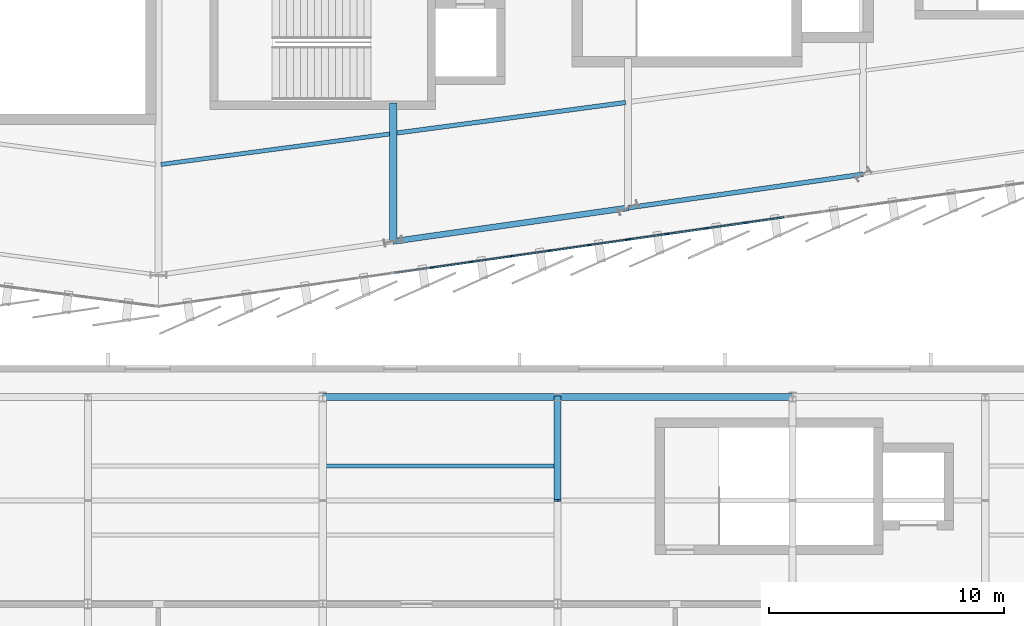
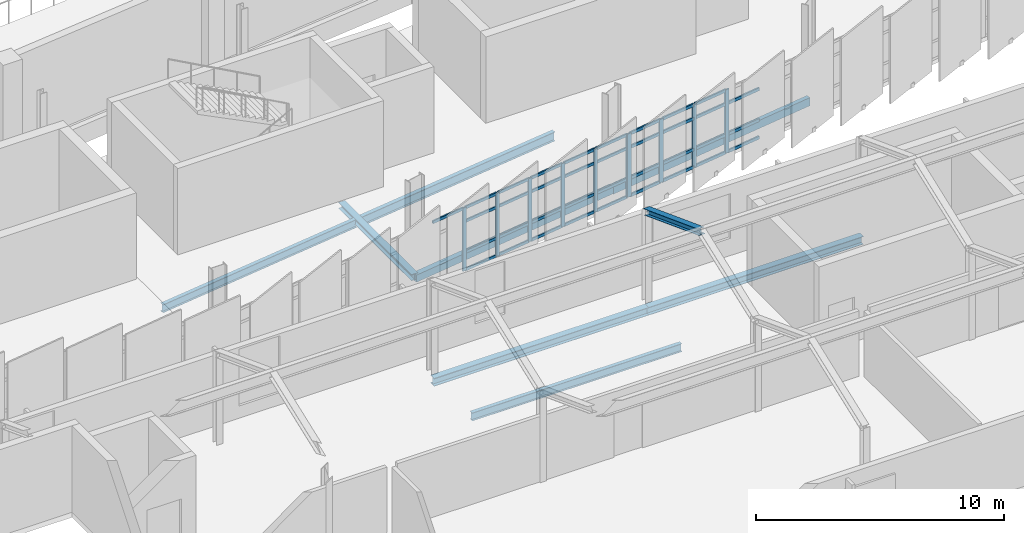
# One storey, part 21 of 87: 46 members, 9 beams, 2 elements without a shape of their own.
"""IFC4 building model written with IfcOpenShell, lengths in metres."""

from ifc_helpers import new_model, si_unit, direction, frame, origin, origin_2d, place, context, subcontext, project, spatial, rectangle, hollow_rectangle, i_section, extrude, material, layer, layer_set, material_profile, profile_set, type_object, element, aggregate, save


model = new_model("IFC4")

# Units and contexts
model_context = context("Model", 3, precision=1e-05, world=origin(), true_north=direction((0.0, 1.0)))
body_context = subcontext(model_context, "Body", "Model", "MODEL_VIEW")
ifc_project = project(units=[si_unit("LENGTHUNIT", "METRE"), si_unit("AREAUNIT", "SQUARE_METRE"), si_unit("VOLUMEUNIT", "CUBIC_METRE"), si_unit("PLANEANGLEUNIT", "RADIAN"), si_unit("MASSUNIT", "GRAM", prefix="KILO")], contexts=[model_context])

# Site, building, storey
site_placement = place(None, origin())
site = spatial("IfcSite", under=ifc_project, at=site_placement, CompositionType="ELEMENT")
building_placement = place(site_placement, origin())
building = spatial("IfcBuilding", under=site, at=building_placement, Name="Sohan Crest Arena", CompositionType="ELEMENT")
storey_placement = place(building_placement, frame((0.0, 0.0, 18.0)))
storey = spatial("IfcBuildingStorey", under=building, at=storey_placement, Name="L04", CompositionType="ELEMENT", Elevation=18.0)

# Curtain wall, members
ifc_material_1 = material(Name="Thermally broken anodised aluminium", Category="aluminium")
ifc_layer_1 = layer(ifc_material_1, 0.199951171875, Name="Thermally broken anodised aluminium")
ifc_layer_set_1 = layer_set([ifc_layer_1], Name="Thermally broken anodised aluminium")
curtain_wall_type_1 = type_object("IfcCurtainWallType", Name="ARC-CW02", PredefinedType="NOTDEFINED", material=ifc_layer_set_1)
curtain_wall_1_placement = place(storey_placement, origin())
curtain_wall_1 = element("IfcCurtainWall", 1, at=curtain_wall_1_placement, inside=storey, type_object=curtain_wall_type_1, Name="Unitised curtain wall CW-125", PredefinedType="NOTDEFINED")
ifc_material_profile_1 = material_profile(ifc_material_1, rectangle(XDim=0.06494140625, YDim=0.179931640625, at=origin_2d()), Name="ALU-MULL 65x180")
ifc_profile_set_1 = profile_set([ifc_material_profile_1], Name="Thermally broken anodised aluminium")
member_type_1 = type_object("IfcMemberType", Name="ARC-CW-ML02", PredefinedType="MULLION", material=ifc_profile_set_1)
member_1_placement = place(storey_placement, frame((109.666748046875, 30.31689453125, 0.0), z_axis=(0.0, 0.0, 1.0), x_axis=(-0.141365918403, 0.989957411768, 0.0)))
member_1 = element("IfcMember", 2, at=member_1_placement, type_object=member_type_1, Name="CW-125 mullion 2", PredefinedType="MULLION", context=body_context, shape_type="SweptSolid", body=[
    extrude(rectangle(XDim=0.06494140625, YDim=0.179931640625, at=origin_2d()), origin(), (0.0, 0.0, 1.0), 3.1201171875),
])
member_2_placement = place(storey_placement, frame((111.333251953125, 30.554931640625, 0.0), z_axis=(0.0, 0.0, 1.0), x_axis=(-0.141365918403, 0.989957411768, 0.0)))
member_2 = element("IfcMember", 3, at=member_2_placement, type_object=member_type_1, Name="CW-125 mullion 3", PredefinedType="MULLION", context=body_context, shape_type="SweptSolid", body=[
    extrude(rectangle(XDim=0.06494140625, YDim=0.179931640625, at=origin_2d()), origin(), (0.0, 0.0, 1.0), 3.1201171875),
])
member_3_placement = place(storey_placement, frame((113.0, 30.79296875, 0.0), z_axis=(0.0, 0.0, 1.0), x_axis=(-0.141365918403, 0.989957411768, 0.0)))
member_3 = element("IfcMember", 4, at=member_3_placement, type_object=member_type_1, Name="CW-125 mullion 4", PredefinedType="MULLION", context=body_context, shape_type="SweptSolid", body=[
    extrude(rectangle(XDim=0.06494140625, YDim=0.179931640625, at=origin_2d()), origin(), (0.0, 0.0, 1.0), 3.1201171875),
])
member_4_placement = place(storey_placement, frame((114.666748046875, 31.031005859375, 0.0), z_axis=(0.0, 0.0, 1.0), x_axis=(-0.141365918403, 0.989957411768, 0.0)))
member_4 = element("IfcMember", 5, at=member_4_placement, type_object=member_type_1, Name="CW-125 mullion 5", PredefinedType="MULLION", context=body_context, shape_type="SweptSolid", body=[
    extrude(rectangle(XDim=0.06494140625, YDim=0.179931640625, at=origin_2d()), origin(), (0.0, 0.0, 1.0), 3.1201171875),
])
member_5_placement = place(storey_placement, frame((116.333251953125, 31.26904296875, 0.0), z_axis=(0.0, 0.0, 1.0), x_axis=(-0.141365918403, 0.989957411768, 0.0)))
member_5 = element("IfcMember", 6, at=member_5_placement, type_object=member_type_1, Name="CW-125 mullion 6", PredefinedType="MULLION", context=body_context, shape_type="SweptSolid", body=[
    extrude(rectangle(XDim=0.06494140625, YDim=0.179931640625, at=origin_2d()), origin(), (0.0, 0.0, 1.0), 3.1201171875),
])
member_6_placement = place(storey_placement, frame((117.9677734375, 31.50244140625, 0.0), z_axis=(0.0, 0.0, 1.0), x_axis=(-0.141365918403, 0.989957411768, 0.0)))
member_6 = element("IfcMember", 7, at=member_6_placement, type_object=member_type_1, Name="CW-125 mullion 7", PredefinedType="MULLION", context=body_context, shape_type="SweptSolid", body=[
    extrude(rectangle(XDim=0.06494140625, YDim=0.179931640625, at=origin_2d()), origin(), (0.0, 0.0, 1.0), 3.1201171875),
])

ifc_layer_2 = layer(ifc_material_1, 0.219970703125, Name="Thermally broken anodised aluminium")
ifc_layer_set_2 = layer_set([ifc_layer_2], Name="Thermally broken anodised aluminium")
curtain_wall_type_2 = type_object("IfcCurtainWallType", Name="ARC-CW03", PredefinedType="NOTDEFINED", material=ifc_layer_set_2)
curtain_wall_2_placement = place(storey_placement, origin())
curtain_wall_2 = element("IfcCurtainWall", 8, at=curtain_wall_2_placement, inside=storey, type_object=curtain_wall_type_2, Name="Unitised curtain wall CW-126", PredefinedType="NOTDEFINED")
ifc_material_profile_2 = material_profile(ifc_material_1, rectangle(XDim=0.070068359375, YDim=0.199951171875, at=origin_2d()), Name="ALU-MULL 70x200")
ifc_profile_set_2 = profile_set([ifc_material_profile_2], Name="Thermally broken anodised aluminium")
member_type_2 = type_object("IfcMemberType", Name="ARC-CW-ML03", PredefinedType="MULLION", material=ifc_profile_set_2)
member_7_placement = place(storey_placement, frame((118.03466796875, 31.511962890625, 0.0), z_axis=(0.0, 0.0, 1.0), x_axis=(-0.141462933734, 0.989943553128, 0.0)))
member_7 = element("IfcMember", 9, at=member_7_placement, type_object=member_type_2, Name="CW-126 mullion 1", PredefinedType="MULLION", context=body_context, shape_type="SweptSolid", body=[
    extrude(rectangle(XDim=0.070068359375, YDim=0.199951171875, at=origin_2d()), origin(), (0.0, 0.0, 1.0), 3.1201171875),
])
member_8_placement = place(storey_placement, frame((119.666748046875, 31.7451171875, 0.0), z_axis=(0.0, 0.0, 1.0), x_axis=(-0.141462933734, 0.989943553128, 0.0)))
member_8 = element("IfcMember", 10, at=member_8_placement, type_object=member_type_2, Name="CW-126 mullion 2", PredefinedType="MULLION", context=body_context, shape_type="SweptSolid", body=[
    extrude(rectangle(XDim=0.070068359375, YDim=0.199951171875, at=origin_2d()), origin(), (0.0, 0.0, 1.0), 3.1201171875),
])
member_9_placement = place(storey_placement, frame((121.333251953125, 31.9833984375, 0.0), z_axis=(0.0, 0.0, 1.0), x_axis=(-0.141462933734, 0.989943553128, 0.0)))
member_9 = element("IfcMember", 11, at=member_9_placement, type_object=member_type_2, Name="CW-126 mullion 3", PredefinedType="MULLION", context=body_context, shape_type="SweptSolid", body=[
    extrude(rectangle(XDim=0.070068359375, YDim=0.199951171875, at=origin_2d()), origin(), (0.0, 0.0, 1.0), 3.1201171875),
])
member_10_placement = place(storey_placement, frame((123.0, 32.221435546875, 0.0), z_axis=(0.0, 0.0, 1.0), x_axis=(-0.141462933734, 0.989943553128, 0.0)))
member_10 = element("IfcMember", 12, at=member_10_placement, type_object=member_type_2, Name="CW-126 mullion 4", PredefinedType="MULLION", context=body_context, shape_type="SweptSolid", body=[
    extrude(rectangle(XDim=0.070068359375, YDim=0.199951171875, at=origin_2d()), origin(), (0.0, 0.0, 1.0), 3.1201171875),
])

# Member
ifc_material_profile_3 = material_profile(ifc_material_1, rectangle(XDim=0.06494140625, YDim=0.139892578125, at=origin_2d()), Name="ALU-TRAN 65x140")
ifc_profile_set_3 = profile_set([ifc_material_profile_3], Name="Thermally broken anodised aluminium")
member_type_3 = type_object("IfcMemberType", Name="ARC-CW-TR02", PredefinedType="USERDEFINED", material=ifc_profile_set_3)
member_11_placement = place(storey_placement, frame((108.064453125, 30.088134765625, 3.08740234375), z_axis=(0.989943335402, 0.141464457353, 0.0), x_axis=(-0.141464457353, 0.989943335402, 0.0)))
member_11 = element("IfcMember", 13, at=member_11_placement, type_object=member_type_3, Name="CW-125 transom 1.4", ObjectType="TRANSOM", PredefinedType="USERDEFINED", context=body_context, shape_type="SweptSolid", body=[
    extrude(rectangle(XDim=0.06494140625, YDim=0.139892578125, at=origin_2d()), origin(), (0.0, 0.0, 1.0), 1.5859375),
])

member_12_placement = place(storey_placement, frame((109.69873046875, 30.321533203125, 0.032470703125), z_axis=(0.989964569759, 0.141315783343, 0.0), x_axis=(-0.141315783343, 0.989964569759, 0.0)))
member_12 = element("IfcMember", 14, at=member_12_placement, type_object=member_type_3, Name="CW-125 transom 2.1", ObjectType="TRANSOM", PredefinedType="USERDEFINED", context=body_context, shape_type="SweptSolid", body=[
    extrude(rectangle(XDim=0.06494140625, YDim=0.139892578125, at=origin_2d()), origin(), (0.0, 0.0, 1.0), 1.618896484375),
])

member_13_placement = place(storey_placement, frame((109.69873046875, 30.321533203125, 0.89990234375), z_axis=(0.989964569759, 0.141315783343, 0.0), x_axis=(-0.141315783343, 0.989964569759, 0.0)))
member_13 = element("IfcMember", 15, at=member_13_placement, type_object=member_type_3, Name="CW-125 transom 2.2", ObjectType="TRANSOM", PredefinedType="USERDEFINED", context=body_context, shape_type="SweptSolid", body=[
    extrude(rectangle(XDim=0.06494140625, YDim=0.139892578125, at=origin_2d()), origin(), (0.0, 0.0, 1.0), 1.618896484375),
])

member_14_placement = place(storey_placement, frame((109.69873046875, 30.321533203125, 2.419921875), z_axis=(0.989964569759, 0.141315783343, 0.0), x_axis=(-0.141315783343, 0.989964569759, 0.0)))
member_14 = element("IfcMember", 16, at=member_14_placement, type_object=member_type_3, Name="CW-125 transom 2.3", ObjectType="TRANSOM", PredefinedType="USERDEFINED", context=body_context, shape_type="SweptSolid", body=[
    extrude(rectangle(XDim=0.06494140625, YDim=0.139892578125, at=origin_2d()), origin(), (0.0, 0.0, 1.0), 1.618896484375),
])

member_15_placement = place(storey_placement, frame((109.69873046875, 30.321533203125, 3.08740234375), z_axis=(0.989964569759, 0.141315783343, 0.0), x_axis=(-0.141315783343, 0.989964569759, 0.0)))
member_15 = element("IfcMember", 17, at=member_15_placement, type_object=member_type_3, Name="CW-125 transom 2.4", ObjectType="TRANSOM", PredefinedType="USERDEFINED", context=body_context, shape_type="SweptSolid", body=[
    extrude(rectangle(XDim=0.06494140625, YDim=0.139892578125, at=origin_2d()), origin(), (0.0, 0.0, 1.0), 1.618896484375),
])

member_16_placement = place(storey_placement, frame((111.365478515625, 30.5595703125, 0.032470703125), z_axis=(0.989961557241, 0.141336885439, 0.0), x_axis=(-0.141336885439, 0.989961557241, 0.0)))
member_16 = element("IfcMember", 18, at=member_16_placement, type_object=member_type_3, Name="CW-125 transom 3.1", ObjectType="TRANSOM", PredefinedType="USERDEFINED", context=body_context, shape_type="SweptSolid", body=[
    extrude(rectangle(XDim=0.06494140625, YDim=0.139892578125, at=origin_2d()), origin(), (0.0, 0.0, 1.0), 1.61865234375),
])

member_17_placement = place(storey_placement, frame((111.365478515625, 30.5595703125, 0.89990234375), z_axis=(0.989961557241, 0.141336885439, 0.0), x_axis=(-0.141336885439, 0.989961557241, 0.0)))
member_17 = element("IfcMember", 19, at=member_17_placement, type_object=member_type_3, Name="CW-125 transom 3.2", ObjectType="TRANSOM", PredefinedType="USERDEFINED", context=body_context, shape_type="SweptSolid", body=[
    extrude(rectangle(XDim=0.06494140625, YDim=0.139892578125, at=origin_2d()), origin(), (0.0, 0.0, 1.0), 1.61865234375),
])

member_18_placement = place(storey_placement, frame((111.365478515625, 30.5595703125, 2.419921875), z_axis=(0.989961557241, 0.141336885439, 0.0), x_axis=(-0.141336885439, 0.989961557241, 0.0)))
member_18 = element("IfcMember", 20, at=member_18_placement, type_object=member_type_3, Name="CW-125 transom 3.3", ObjectType="TRANSOM", PredefinedType="USERDEFINED", context=body_context, shape_type="SweptSolid", body=[
    extrude(rectangle(XDim=0.06494140625, YDim=0.139892578125, at=origin_2d()), origin(), (0.0, 0.0, 1.0), 1.61865234375),
])

member_19_placement = place(storey_placement, frame((111.365478515625, 30.5595703125, 3.08740234375), z_axis=(0.989961557241, 0.141336885439, 0.0), x_axis=(-0.141336885439, 0.989961557241, 0.0)))
member_19 = element("IfcMember", 21, at=member_19_placement, type_object=member_type_3, Name="CW-125 transom 3.4", ObjectType="TRANSOM", PredefinedType="USERDEFINED", context=body_context, shape_type="SweptSolid", body=[
    extrude(rectangle(XDim=0.06494140625, YDim=0.139892578125, at=origin_2d()), origin(), (0.0, 0.0, 1.0), 1.61865234375),
])

member_20_placement = place(storey_placement, frame((113.0322265625, 30.797607421875, 0.032470703125), z_axis=(0.989961557241, 0.141336885439, 0.0), x_axis=(-0.141336885439, 0.989961557241, 0.0)))
member_20 = element("IfcMember", 22, at=member_20_placement, type_object=member_type_3, Name="CW-125 transom 4.1", ObjectType="TRANSOM", PredefinedType="USERDEFINED", context=body_context, shape_type="SweptSolid", body=[
    extrude(rectangle(XDim=0.06494140625, YDim=0.139892578125, at=origin_2d()), origin(), (0.0, 0.0, 1.0), 1.61865234375),
])

member_21_placement = place(storey_placement, frame((113.0322265625, 30.797607421875, 0.89990234375), z_axis=(0.989961557241, 0.141336885439, 0.0), x_axis=(-0.141336885439, 0.989961557241, 0.0)))
member_21 = element("IfcMember", 23, at=member_21_placement, type_object=member_type_3, Name="CW-125 transom 4.2", ObjectType="TRANSOM", PredefinedType="USERDEFINED", context=body_context, shape_type="SweptSolid", body=[
    extrude(rectangle(XDim=0.06494140625, YDim=0.139892578125, at=origin_2d()), origin(), (0.0, 0.0, 1.0), 1.61865234375),
])

member_22_placement = place(storey_placement, frame((113.0322265625, 30.797607421875, 2.419921875), z_axis=(0.989961557241, 0.141336885439, 0.0), x_axis=(-0.141336885439, 0.989961557241, 0.0)))
member_22 = element("IfcMember", 24, at=member_22_placement, type_object=member_type_3, Name="CW-125 transom 4.3", ObjectType="TRANSOM", PredefinedType="USERDEFINED", context=body_context, shape_type="SweptSolid", body=[
    extrude(rectangle(XDim=0.06494140625, YDim=0.139892578125, at=origin_2d()), origin(), (0.0, 0.0, 1.0), 1.61865234375),
])

member_23_placement = place(storey_placement, frame((113.0322265625, 30.797607421875, 3.08740234375), z_axis=(0.989961557241, 0.141336885439, 0.0), x_axis=(-0.141336885439, 0.989961557241, 0.0)))
member_23 = element("IfcMember", 25, at=member_23_placement, type_object=member_type_3, Name="CW-125 transom 4.4", ObjectType="TRANSOM", PredefinedType="USERDEFINED", context=body_context, shape_type="SweptSolid", body=[
    extrude(rectangle(XDim=0.06494140625, YDim=0.139892578125, at=origin_2d()), origin(), (0.0, 0.0, 1.0), 1.61865234375),
])

member_24_placement = place(storey_placement, frame((114.69873046875, 31.03564453125, 0.032470703125), z_axis=(0.989964569759, 0.141315783343, 0.0), x_axis=(-0.141315783343, 0.989964569759, 0.0)))
member_24 = element("IfcMember", 26, at=member_24_placement, type_object=member_type_3, Name="CW-125 transom 5.1", ObjectType="TRANSOM", PredefinedType="USERDEFINED", context=body_context, shape_type="SweptSolid", body=[
    extrude(rectangle(XDim=0.06494140625, YDim=0.139892578125, at=origin_2d()), origin(), (0.0, 0.0, 1.0), 1.618896484375),
])

member_25_placement = place(storey_placement, frame((114.69873046875, 31.03564453125, 0.89990234375), z_axis=(0.989964569759, 0.141315783343, 0.0), x_axis=(-0.141315783343, 0.989964569759, 0.0)))
member_25 = element("IfcMember", 27, at=member_25_placement, type_object=member_type_3, Name="CW-125 transom 5.2", ObjectType="TRANSOM", PredefinedType="USERDEFINED", context=body_context, shape_type="SweptSolid", body=[
    extrude(rectangle(XDim=0.06494140625, YDim=0.139892578125, at=origin_2d()), origin(), (0.0, 0.0, 1.0), 1.618896484375),
])

member_26_placement = place(storey_placement, frame((114.69873046875, 31.03564453125, 2.419921875), z_axis=(0.989964569759, 0.141315783343, 0.0), x_axis=(-0.141315783343, 0.989964569759, 0.0)))
member_26 = element("IfcMember", 28, at=member_26_placement, type_object=member_type_3, Name="CW-125 transom 5.3", ObjectType="TRANSOM", PredefinedType="USERDEFINED", context=body_context, shape_type="SweptSolid", body=[
    extrude(rectangle(XDim=0.06494140625, YDim=0.139892578125, at=origin_2d()), origin(), (0.0, 0.0, 1.0), 1.618896484375),
])

member_27_placement = place(storey_placement, frame((114.69873046875, 31.03564453125, 3.08740234375), z_axis=(0.989964569759, 0.141315783343, 0.0), x_axis=(-0.141315783343, 0.989964569759, 0.0)))
member_27 = element("IfcMember", 29, at=member_27_placement, type_object=member_type_3, Name="CW-125 transom 5.4", ObjectType="TRANSOM", PredefinedType="USERDEFINED", context=body_context, shape_type="SweptSolid", body=[
    extrude(rectangle(XDim=0.06494140625, YDim=0.139892578125, at=origin_2d()), origin(), (0.0, 0.0, 1.0), 1.618896484375),
])

member_28_placement = place(storey_placement, frame((116.365478515625, 31.273681640625, 0.032470703125), z_axis=(0.989964881435, 0.141313599931, 0.0), x_axis=(-0.141313599931, 0.989964881435, 0.0)))
member_28 = element("IfcMember", 30, at=member_28_placement, type_object=member_type_3, Name="CW-125 transom 6.1", ObjectType="TRANSOM", PredefinedType="USERDEFINED", context=body_context, shape_type="SweptSolid", body=[
    extrude(rectangle(XDim=0.06494140625, YDim=0.139892578125, at=origin_2d()), origin(), (0.0, 0.0, 1.0), 1.5859375),
])

member_29_placement = place(storey_placement, frame((116.365478515625, 31.273681640625, 0.89990234375), z_axis=(0.989964881435, 0.141313599931, 0.0), x_axis=(-0.141313599931, 0.989964881435, 0.0)))
member_29 = element("IfcMember", 31, at=member_29_placement, type_object=member_type_3, Name="CW-125 transom 6.2", ObjectType="TRANSOM", PredefinedType="USERDEFINED", context=body_context, shape_type="SweptSolid", body=[
    extrude(rectangle(XDim=0.06494140625, YDim=0.139892578125, at=origin_2d()), origin(), (0.0, 0.0, 1.0), 1.5859375),
])

member_30_placement = place(storey_placement, frame((116.365478515625, 31.273681640625, 2.419921875), z_axis=(0.989964881435, 0.141313599931, 0.0), x_axis=(-0.141313599931, 0.989964881435, 0.0)))
member_30 = element("IfcMember", 32, at=member_30_placement, type_object=member_type_3, Name="CW-125 transom 6.3", ObjectType="TRANSOM", PredefinedType="USERDEFINED", context=body_context, shape_type="SweptSolid", body=[
    extrude(rectangle(XDim=0.06494140625, YDim=0.139892578125, at=origin_2d()), origin(), (0.0, 0.0, 1.0), 1.5859375),
])

member_31_placement = place(storey_placement, frame((116.365478515625, 31.273681640625, 3.08740234375), z_axis=(0.989964881435, 0.141313599931, 0.0), x_axis=(-0.141313599931, 0.989964881435, 0.0)))
member_31 = element("IfcMember", 33, at=member_31_placement, type_object=member_type_3, Name="CW-125 transom 6.4", ObjectType="TRANSOM", PredefinedType="USERDEFINED", context=body_context, shape_type="SweptSolid", body=[
    extrude(rectangle(XDim=0.06494140625, YDim=0.139892578125, at=origin_2d()), origin(), (0.0, 0.0, 1.0), 1.5859375),
])

aggregate(curtain_wall_1, [member_1, member_2, member_3, member_4, member_5, member_6, member_11, member_12, member_13, member_14, member_15, member_16, member_17, member_18, member_19, member_20, member_21, member_22, member_23, member_24, member_25, member_26, member_27, member_28, member_29, member_30, member_31])

ifc_material_profile_4 = material_profile(ifc_material_1, rectangle(XDim=0.070068359375, YDim=0.14990234375, at=origin_2d()), Name="ALU-TRAN 70x150")
ifc_profile_set_4 = profile_set([ifc_material_profile_4], Name="Thermally broken anodised aluminium")
member_type_4 = type_object("IfcMemberType", Name="ARC-CW-TR03", PredefinedType="USERDEFINED", material=ifc_profile_set_4)
member_32_placement = place(storey_placement, frame((118.0693359375, 31.516845703125, 0.034912109375), z_axis=(0.989937117592, 0.141507961662, 0.0), x_axis=(-0.141507961662, 0.989937117592, 0.0)))
member_32 = element("IfcMember", 34, at=member_32_placement, type_object=member_type_4, Name="CW-126 transom 1.1", ObjectType="TRANSOM", PredefinedType="USERDEFINED", context=body_context, shape_type="SweptSolid", body=[
    extrude(rectangle(XDim=0.070068359375, YDim=0.14990234375, at=origin_2d()), origin(), (0.0, 0.0, 1.0), 1.57861328125),
])

member_33_placement = place(storey_placement, frame((118.0693359375, 31.516845703125, 0.89990234375), z_axis=(0.989937117592, 0.141507961662, 0.0), x_axis=(-0.141507961662, 0.989937117592, 0.0)))
member_33 = element("IfcMember", 35, at=member_33_placement, type_object=member_type_4, Name="CW-126 transom 1.2", ObjectType="TRANSOM", PredefinedType="USERDEFINED", context=body_context, shape_type="SweptSolid", body=[
    extrude(rectangle(XDim=0.070068359375, YDim=0.14990234375, at=origin_2d()), origin(), (0.0, 0.0, 1.0), 1.57861328125),
])

member_34_placement = place(storey_placement, frame((118.0693359375, 31.516845703125, 2.419921875), z_axis=(0.989937117592, 0.141507961662, 0.0), x_axis=(-0.141507961662, 0.989937117592, 0.0)))
member_34 = element("IfcMember", 36, at=member_34_placement, type_object=member_type_4, Name="CW-126 transom 1.3", ObjectType="TRANSOM", PredefinedType="USERDEFINED", context=body_context, shape_type="SweptSolid", body=[
    extrude(rectangle(XDim=0.070068359375, YDim=0.14990234375, at=origin_2d()), origin(), (0.0, 0.0, 1.0), 1.57861328125),
])

member_35_placement = place(storey_placement, frame((118.0693359375, 31.516845703125, 3.0849609375), z_axis=(0.989937117592, 0.141507961662, 0.0), x_axis=(-0.141507961662, 0.989937117592, 0.0)))
member_35 = element("IfcMember", 37, at=member_35_placement, type_object=member_type_4, Name="CW-126 transom 1.4", ObjectType="TRANSOM", PredefinedType="USERDEFINED", context=body_context, shape_type="SweptSolid", body=[
    extrude(rectangle(XDim=0.070068359375, YDim=0.14990234375, at=origin_2d()), origin(), (0.0, 0.0, 1.0), 1.57861328125),
])

member_36_placement = place(storey_placement, frame((119.701416015625, 31.75, 0.034912109375), z_axis=(0.989940412375, 0.141484910665, 0.0), x_axis=(-0.141484910665, 0.989940412375, 0.0)))
member_36 = element("IfcMember", 38, at=member_36_placement, type_object=member_type_4, Name="CW-126 transom 2.1", ObjectType="TRANSOM", PredefinedType="USERDEFINED", context=body_context, shape_type="SweptSolid", body=[
    extrude(rectangle(XDim=0.070068359375, YDim=0.14990234375, at=origin_2d()), origin(), (0.0, 0.0, 1.0), 1.61328125),
])

member_37_placement = place(storey_placement, frame((119.701416015625, 31.75, 0.89990234375), z_axis=(0.989940412375, 0.141484910665, 0.0), x_axis=(-0.141484910665, 0.989940412375, 0.0)))
member_37 = element("IfcMember", 39, at=member_37_placement, type_object=member_type_4, Name="CW-126 transom 2.2", ObjectType="TRANSOM", PredefinedType="USERDEFINED", context=body_context, shape_type="SweptSolid", body=[
    extrude(rectangle(XDim=0.070068359375, YDim=0.14990234375, at=origin_2d()), origin(), (0.0, 0.0, 1.0), 1.61328125),
])

member_38_placement = place(storey_placement, frame((119.701416015625, 31.75, 2.419921875), z_axis=(0.989940412375, 0.141484910665, 0.0), x_axis=(-0.141484910665, 0.989940412375, 0.0)))
member_38 = element("IfcMember", 40, at=member_38_placement, type_object=member_type_4, Name="CW-126 transom 2.3", ObjectType="TRANSOM", PredefinedType="USERDEFINED", context=body_context, shape_type="SweptSolid", body=[
    extrude(rectangle(XDim=0.070068359375, YDim=0.14990234375, at=origin_2d()), origin(), (0.0, 0.0, 1.0), 1.61328125),
])

member_39_placement = place(storey_placement, frame((119.701416015625, 31.75, 3.0849609375), z_axis=(0.989940412375, 0.141484910665, 0.0), x_axis=(-0.141484910665, 0.989940412375, 0.0)))
member_39 = element("IfcMember", 41, at=member_39_placement, type_object=member_type_4, Name="CW-126 transom 2.4", ObjectType="TRANSOM", PredefinedType="USERDEFINED", context=body_context, shape_type="SweptSolid", body=[
    extrude(rectangle(XDim=0.070068359375, YDim=0.14990234375, at=origin_2d()), origin(), (0.0, 0.0, 1.0), 1.61328125),
])

member_40_placement = place(storey_placement, frame((121.367919921875, 31.98828125, 0.034912109375), z_axis=(0.989943440831, 0.141463719575, 0.0), x_axis=(-0.141463719575, 0.989943440831, 0.0)))
member_40 = element("IfcMember", 42, at=member_40_placement, type_object=member_type_4, Name="CW-126 transom 3.1", ObjectType="TRANSOM", PredefinedType="USERDEFINED", context=body_context, shape_type="SweptSolid", body=[
    extrude(rectangle(XDim=0.070068359375, YDim=0.14990234375, at=origin_2d()), origin(), (0.0, 0.0, 1.0), 1.613525390625),
])

member_41_placement = place(storey_placement, frame((121.367919921875, 31.98828125, 0.89990234375), z_axis=(0.989943440831, 0.141463719575, 0.0), x_axis=(-0.141463719575, 0.989943440831, 0.0)))
member_41 = element("IfcMember", 43, at=member_41_placement, type_object=member_type_4, Name="CW-126 transom 3.2", ObjectType="TRANSOM", PredefinedType="USERDEFINED", context=body_context, shape_type="SweptSolid", body=[
    extrude(rectangle(XDim=0.070068359375, YDim=0.14990234375, at=origin_2d()), origin(), (0.0, 0.0, 1.0), 1.613525390625),
])

member_42_placement = place(storey_placement, frame((121.367919921875, 31.98828125, 2.419921875), z_axis=(0.989943440831, 0.141463719575, 0.0), x_axis=(-0.141463719575, 0.989943440831, 0.0)))
member_42 = element("IfcMember", 44, at=member_42_placement, type_object=member_type_4, Name="CW-126 transom 3.3", ObjectType="TRANSOM", PredefinedType="USERDEFINED", context=body_context, shape_type="SweptSolid", body=[
    extrude(rectangle(XDim=0.070068359375, YDim=0.14990234375, at=origin_2d()), origin(), (0.0, 0.0, 1.0), 1.613525390625),
])

member_43_placement = place(storey_placement, frame((121.367919921875, 31.98828125, 3.0849609375), z_axis=(0.989943440831, 0.141463719575, 0.0), x_axis=(-0.141463719575, 0.989943440831, 0.0)))
member_43 = element("IfcMember", 45, at=member_43_placement, type_object=member_type_4, Name="CW-126 transom 3.4", ObjectType="TRANSOM", PredefinedType="USERDEFINED", context=body_context, shape_type="SweptSolid", body=[
    extrude(rectangle(XDim=0.070068359375, YDim=0.14990234375, at=origin_2d()), origin(), (0.0, 0.0, 1.0), 1.613525390625),
])

member_44_placement = place(storey_placement, frame((123.03466796875, 32.2265625, 0.034912109375), z_axis=(0.989943440831, 0.141463719575, 0.0), x_axis=(-0.141463719575, 0.989943440831, 0.0)))
member_44 = element("IfcMember", 46, at=member_44_placement, type_object=member_type_4, Name="CW-126 transom 4.1", ObjectType="TRANSOM", PredefinedType="USERDEFINED", context=body_context, shape_type="SweptSolid", body=[
    extrude(rectangle(XDim=0.070068359375, YDim=0.14990234375, at=origin_2d()), origin(), (0.0, 0.0, 1.0), 1.613525390625),
])

member_45_placement = place(storey_placement, frame((123.03466796875, 32.2265625, 0.89990234375), z_axis=(0.989943440831, 0.141463719575, 0.0), x_axis=(-0.141463719575, 0.989943440831, 0.0)))
member_45 = element("IfcMember", 47, at=member_45_placement, type_object=member_type_4, Name="CW-126 transom 4.2", ObjectType="TRANSOM", PredefinedType="USERDEFINED", context=body_context, shape_type="SweptSolid", body=[
    extrude(rectangle(XDim=0.070068359375, YDim=0.14990234375, at=origin_2d()), origin(), (0.0, 0.0, 1.0), 1.613525390625),
])

member_46_placement = place(storey_placement, frame((123.03466796875, 32.2265625, 2.419921875), z_axis=(0.989943440831, 0.141463719575, 0.0), x_axis=(-0.141463719575, 0.989943440831, 0.0)))
member_46 = element("IfcMember", 48, at=member_46_placement, type_object=member_type_4, Name="CW-126 transom 4.3", ObjectType="TRANSOM", PredefinedType="USERDEFINED", context=body_context, shape_type="SweptSolid", body=[
    extrude(rectangle(XDim=0.070068359375, YDim=0.14990234375, at=origin_2d()), origin(), (0.0, 0.0, 1.0), 1.613525390625),
])

aggregate(curtain_wall_2, [member_7, member_8, member_9, member_10, member_32, member_33, member_34, member_35, member_36, member_37, member_38, member_39, member_40, member_41, member_42, member_43, member_44, member_45, member_46])

# Beams
ifc_material_2 = material(Name="Steel S355", Category="steel")
ifc_material_profile_5 = material_profile(ifc_material_2, i_section(OverallWidth=0.179931640625, OverallDepth=0.39990234375, WebThickness=0.008544921875, FlangeThickness=0.013427734375, at=origin_2d()), Name="IPE 400")
ifc_profile_set_5 = profile_set([ifc_material_profile_5], Name="Steel S355")
beam_type_1 = type_object("IfcBeamType", Name="STR-BM-B03", PredefinedType="JOIST", material=ifc_profile_set_5)
beam_1_placement = place(storey_placement, frame((98.10888671875, 34.700927734375, -0.449951171875), z_axis=(0.991216229825, 0.132251222039, 0.0), x_axis=(-0.132251222039, 0.991216229825, 0.0)))
element("IfcBeam", 49, at=beam_1_placement, inside=storey, type_object=beam_type_1, Name="Structural beam J-L04-1604", PredefinedType="JOIST", context=body_context, shape_type="SweptSolid", body=[
    extrude(i_section(OverallWidth=0.179931640625, OverallDepth=0.39990234375, WebThickness=0.008544921875, FlangeThickness=0.013427734375, at=origin_2d()), origin(), (0.0, 0.0, 1.0), 9.868896484375),
])
beam_2_placement = place(storey_placement, frame((105.110107421875, 21.866943359375, -0.449951171875), z_axis=(1.0, 0.0, 0.0), x_axis=(0.0, 1.0, 0.0)))
element("IfcBeam", 50, at=beam_2_placement, inside=storey, type_object=beam_type_1, Name="Structural beam J-L04-2826", PredefinedType="JOIST", context=body_context, shape_type="SweptSolid", body=[
    extrude(i_section(OverallWidth=0.179931640625, OverallDepth=0.39990234375, WebThickness=0.008544921875, FlangeThickness=0.013427734375, at=origin_2d()), origin(), (0.0, 0.0, 1.0), 9.77978515625),
])
ifc_material_profile_6 = material_profile(ifc_material_2, i_section(OverallWidth=0.18994140625, OverallDepth=0.449951171875, WebThickness=0.009521484375, FlangeThickness=0.0146484375, at=origin_2d()), Name="IPE 450")
ifc_profile_set_6 = profile_set([ifc_material_profile_6], Name="Steel S355")
beam_type_2 = type_object("IfcBeamType", Name="STR-BM-B04", PredefinedType="JOIST", material=ifc_profile_set_6)
beam_3_placement = place(storey_placement, frame((108.10888671875, 36.035888671875, -0.47509765625), z_axis=(0.991229196985, 0.132153997462, 0.0), x_axis=(-0.132153997462, 0.991229196985, 0.0)))
element("IfcBeam", 51, at=beam_3_placement, inside=storey, type_object=beam_type_2, Name="Structural beam J-L04-1609", PredefinedType="JOIST", context=body_context, shape_type="SweptSolid", body=[
    extrude(i_section(OverallWidth=0.18994140625, OverallDepth=0.449951171875, WebThickness=0.009521484375, FlangeThickness=0.0146484375, at=origin_2d()), origin(), (0.0, 0.0, 1.0), 9.868896484375),
])
ifc_material_profile_7 = material_profile(ifc_material_2, i_section(OverallWidth=0.300048828125, OverallDepth=0.2900390625, WebThickness=0.008544921875, FlangeThickness=0.013916015625, at=origin_2d()), Name="HEA 300")
ifc_profile_set_7 = profile_set([ifc_material_profile_7], Name="Steel S355")
beam_type_3 = type_object("IfcBeamType", Name="STR-BM-B08", PredefinedType="BEAM", material=ifc_profile_set_7)
beam_4_placement = place(storey_placement, frame((115.0, 20.39990234375, 6.080078125), z_axis=(0.0, 0.93562113017, -0.35300580842), x_axis=(-1.0, 0.0, 0.0)))
element("IfcBeam", 52, at=beam_4_placement, inside=storey, type_object=beam_type_3, Name="Structural beam BVA-L04-3224", PredefinedType="BEAM", context=body_context, shape_type="SweptSolid", body=[
    extrude(i_section(OverallWidth=0.300048828125, OverallDepth=0.2900390625, WebThickness=0.008544921875, FlangeThickness=0.013916015625, at=origin_2d()), origin(), (0.0, 0.0, 1.0), 4.702880859375),
])
ifc_material_profile_8 = material_profile(ifc_material_2, i_section(OverallWidth=0.300048828125, OverallDepth=0.389892578125, WebThickness=0.010986328125, FlangeThickness=0.01904296875, at=origin_2d()), Name="HEA 400")
ifc_profile_set_8 = profile_set([ifc_material_profile_8], Name="Steel S355")
beam_type_4 = type_object("IfcBeamType", Name="STR-BM-B09", PredefinedType="BEAM", material=ifc_profile_set_8)
for number, where, z_axis, x_axis, name in (
    (53, (105.0, 24.800048828125, -0.445068359375), (1.0, 0.0, 0.0), (0.0, 1.0, 0.0), "Structural beam G-L04-2841"),
    (54, (115.0, 24.800048828125, -0.445068359375), (1.0, 0.0, 0.0), (0.0, 1.0, 0.0), "Structural beam G-L04-2842"),
):
    element("IfcBeam", number, at=place(storey_placement, frame(where, z_axis=z_axis, x_axis=x_axis)), inside=storey, type_object=beam_type_4, Name=name, PredefinedType="BEAM", context=body_context, shape_type="SweptSolid", body=[
        extrude(i_section(OverallWidth=0.300048828125, OverallDepth=0.389892578125, WebThickness=0.010986328125, FlangeThickness=0.01904296875, at=origin_2d()), origin(), (0.0, 0.0, 1.0), 10.0),
    ])
ifc_material_profile_9 = material_profile(ifc_material_2, i_section(OverallWidth=0.300048828125, OverallDepth=0.300048828125, WebThickness=0.010986328125, FlangeThickness=0.01904296875, at=origin_2d()), Name="HEB 300")
ifc_profile_set_9 = profile_set([ifc_material_profile_9], Name="Steel S355")
beam_type_5 = type_object("IfcBeamType", Name="STR-BM-B12", PredefinedType="BEAM", material=ifc_profile_set_9)
beam_5_placement = place(storey_placement, frame((108.0, 37.320068359375, -0.39990234375), z_axis=(0.0, -1.0, 0.0), x_axis=(1.0, 0.0, 0.0)))
element("IfcBeam", 55, at=beam_5_placement, inside=storey, type_object=beam_type_5, Name="Structural beam G-L04-1606", PredefinedType="BEAM", context=body_context, shape_type="SweptSolid", body=[
    extrude(i_section(OverallWidth=0.300048828125, OverallDepth=0.300048828125, WebThickness=0.010986328125, FlangeThickness=0.01904296875, at=origin_2d()), origin(), (0.0, 0.0, 1.0), 5.89111328125),
])
ifc_material_profile_10 = material_profile(ifc_material_2, hollow_rectangle(XDim=0.25, YDim=0.35009765625, WallThickness=0.012451171875, at=origin_2d()), Name="RHS 350x250x12.5")
ifc_profile_set_10 = profile_set([ifc_material_profile_10], Name="Steel S355")
beam_type_6 = type_object("IfcBeamType", Name="STR-BM-SP04", PredefinedType="SPANDREL", material=ifc_profile_set_10)
beam_6_placement = place(storey_placement, frame((108.0, 31.428955078125, -0.425048828125), z_axis=(0.989957709412, 0.141363834042, 0.0), x_axis=(-0.141363834042, 0.989957709412, 0.0)))
element("IfcBeam", 56, at=beam_6_placement, inside=storey, type_object=beam_type_6, Name="Structural beam SP-L04-1608", PredefinedType="SPANDREL", context=body_context, shape_type="SweptSolid", body=[
    extrude(hollow_rectangle(XDim=0.25, YDim=0.35009765625, WallThickness=0.012451171875, at=origin_2d()), origin(), (0.0, 0.0, 1.0), 10.1015625),
])
ifc_material_profile_11 = material_profile(ifc_material_2, hollow_rectangle(XDim=0.199951171875, YDim=0.39990234375, WallThickness=0.012451171875, at=origin_2d()), Name="RHS 400x200x12.5")
ifc_profile_set_11 = profile_set([ifc_material_profile_11], Name="Steel S355")
beam_type_7 = type_object("IfcBeamType", Name="STR-BM-SP05", PredefinedType="SPANDREL", material=ifc_profile_set_11)
beam_7_placement = place(storey_placement, frame((118.0, 32.85693359375, -0.449951171875), z_axis=(0.989944175879, 0.141458575718, 0.0), x_axis=(-0.141458575718, 0.989944175879, 0.0)))
element("IfcBeam", 57, at=beam_7_placement, inside=storey, type_object=beam_type_7, Name="Structural beam SP-L04-1613", PredefinedType="SPANDREL", context=body_context, shape_type="SweptSolid", body=[
    extrude(hollow_rectangle(XDim=0.199951171875, YDim=0.39990234375, WallThickness=0.012451171875, at=origin_2d()), origin(), (0.0, 0.0, 1.0), 10.1015625),
])

save(model, "model.ifc")
